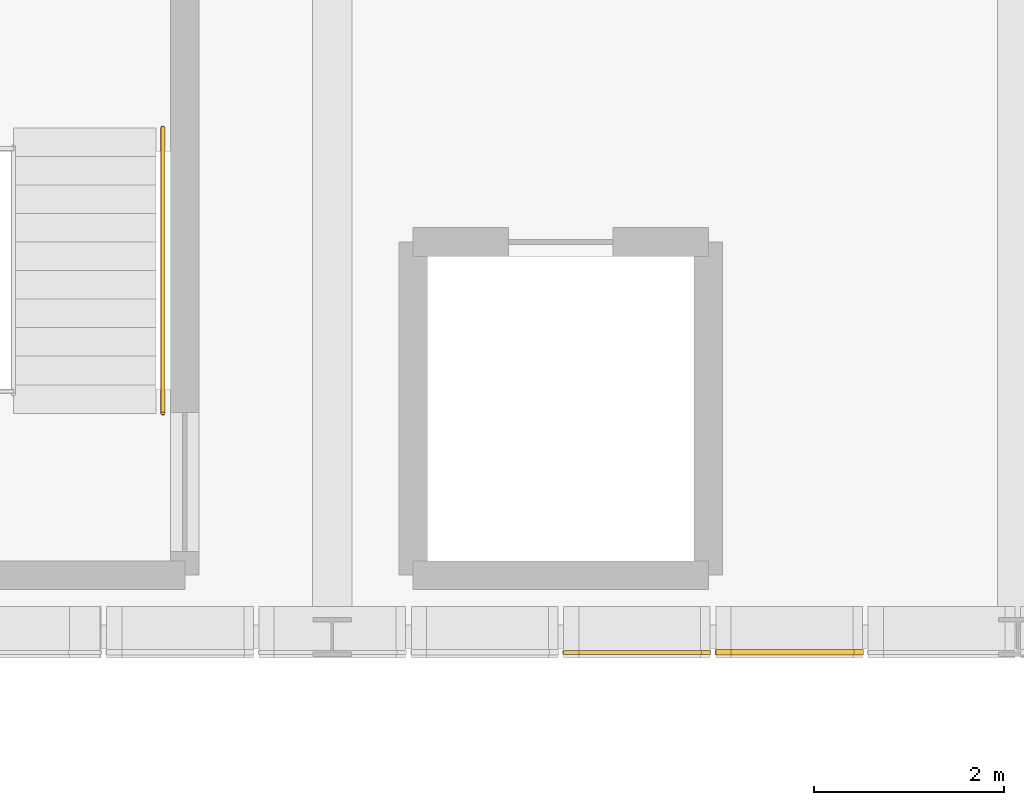
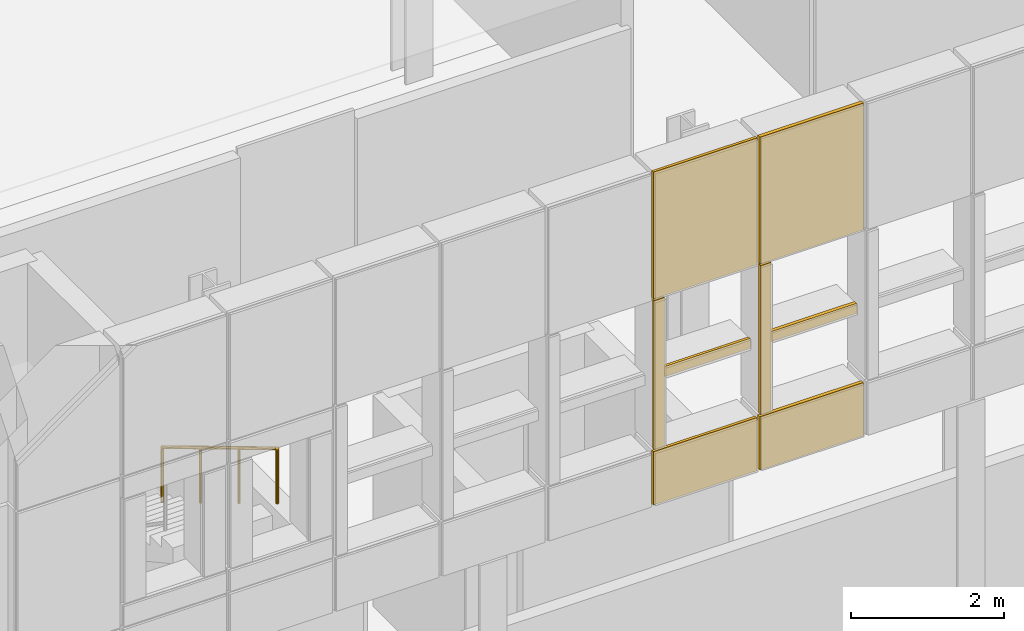
# One storey, part 79 of 96: 8 coverings, 1 railing.
"""IFC4 building model written with IfcOpenShell, lengths in metres."""

from ifc_helpers import new_model, si_unit, direction, frame, origin, origin_2d, place, context, subcontext, project, spatial, rectangle, circle, extrude, material, layer, layer_set, type_object, element, save


model = new_model("IFC4")

# Units and contexts
model_context = context("Model", 3, precision=1e-05, world=origin(), true_north=direction((0.0, 1.0)))
body_context = subcontext(model_context, "Body", "Model", "MODEL_VIEW")
ifc_project = project(units=[si_unit("LENGTHUNIT", "METRE"), si_unit("AREAUNIT", "SQUARE_METRE"), si_unit("VOLUMEUNIT", "CUBIC_METRE"), si_unit("PLANEANGLEUNIT", "RADIAN"), si_unit("MASSUNIT", "GRAM", prefix="KILO")], contexts=[model_context])

# Site, building, storey
site_placement = place(None, origin())
site = spatial("IfcSite", under=ifc_project, at=site_placement, CompositionType="ELEMENT")
building_placement = place(site_placement, origin())
building = spatial("IfcBuilding", under=site, at=building_placement, Name="Yarey Park Central Fire Station", CompositionType="ELEMENT")
storey_placement = place(building_placement, frame((0.0, 0.0, 14.39990234375)))
storey = spatial("IfcBuildingStorey", under=building, at=storey_placement, Name="L04", CompositionType="ELEMENT", Elevation=14.39990234375)

# Coverings
ifc_material_1 = material(Name="Perforated Powder-Coated Aluminium Cladding", Category="aluminium")
ifc_layer_1 = layer(ifc_material_1, 0.0419921875)
ifc_layer_set_1 = layer_set([ifc_layer_1], Name="Perforated Powder-Coated Aluminium Cladding")
covering_type_1 = type_object("IfcCoveringType", Name="ENV_COV_PERF_1", PredefinedType="CLADDING", material=ifc_layer_set_1)
covering_1_placement = place(storey_placement, frame((39.199951171875, 57.43994140625, 3.635009765625), z_axis=(0.0, 0.0, 1.0), x_axis=(1.0, 0.0, 0.0)))
element("IfcCovering", 1, at=covering_1_placement, inside=storey, type_object=covering_type_1, Name="PERF_L04_1149", PredefinedType="CLADDING", context=body_context, shape_type="SweptSolid", body=[
    extrude(rectangle(XDim=1.56005859375, YDim=0.0419921875, at=origin_2d()), origin(), (0.0, 0.0, 1.0), 0.85009765625),
])
covering_2_placement = place(storey_placement, frame((38.510009765625, 57.43994140625, 4.51513671875), z_axis=(0.0, 0.0, 1.0), x_axis=(1.0, 0.0, 0.0)))
element("IfcCovering", 2, at=covering_2_placement, inside=storey, type_object=covering_type_1, Name="PERF_L04_1150", PredefinedType="CLADDING", context=body_context, shape_type="SweptSolid", body=[
    extrude(rectangle(XDim=0.159912109375, YDim=0.0419921875, at=origin_2d()), origin(), (0.0, 0.0, 1.0), 2.3701171875),
])
covering_3_placement = place(storey_placement, frame((39.199951171875, 57.43994140625, 5.6201171875), z_axis=(0.0, 0.0, 1.0), x_axis=(1.0, 0.0, 0.0)))
element("IfcCovering", 3, at=covering_3_placement, inside=storey, type_object=covering_type_1, Name="PERF_L04_1151", PredefinedType="CLADDING", context=body_context, shape_type="SweptSolid", body=[
    extrude(rectangle(XDim=1.360107421875, YDim=0.0419921875, at=origin_2d()), origin(), (0.0, 0.0, 1.0), 0.159912109375),
])
covering_4_placement = place(storey_placement, frame((39.199951171875, 57.43994140625, 6.9150390625), z_axis=(0.0, 0.0, 1.0), x_axis=(1.0, 0.0, 0.0)))
element("IfcCovering", 4, at=covering_4_placement, inside=storey, type_object=covering_type_1, Name="PERF_L04_1152", PredefinedType="CLADDING", context=body_context, shape_type="SweptSolid", body=[
    extrude(rectangle(XDim=1.56005859375, YDim=0.0419921875, at=origin_2d()), origin(), (0.0, 0.0, 1.0), 2.02001953125),
])
ifc_layer_2 = layer(ifc_material_1, 0.053955078125)
ifc_layer_set_2 = layer_set([ifc_layer_2], Name="Perforated Powder-Coated Aluminium Cladding")
covering_type_2 = type_object("IfcCoveringType", Name="ENV_COV_PERF_2", PredefinedType="CLADDING", material=ifc_layer_set_2)
covering_5_placement = place(storey_placement, frame((40.800048828125, 57.43994140625, 3.635009765625), z_axis=(0.0, 0.0, 1.0), x_axis=(1.0, 0.0, 0.0)))
element("IfcCovering", 5, at=covering_5_placement, inside=storey, type_object=covering_type_2, Name="PERF_L04_1153", PredefinedType="CLADDING", context=body_context, shape_type="SweptSolid", body=[
    extrude(rectangle(XDim=1.56005859375, YDim=0.053955078125, at=origin_2d()), origin(), (0.0, 0.0, 1.0), 0.85009765625),
])
covering_6_placement = place(storey_placement, frame((40.110107421875, 57.43994140625, 4.51513671875), z_axis=(0.0, 0.0, 1.0), x_axis=(1.0, 0.0, 0.0)))
element("IfcCovering", 6, at=covering_6_placement, inside=storey, type_object=covering_type_2, Name="PERF_L04_1154", PredefinedType="CLADDING", context=body_context, shape_type="SweptSolid", body=[
    extrude(rectangle(XDim=0.159912109375, YDim=0.053955078125, at=origin_2d()), origin(), (0.0, 0.0, 1.0), 2.3701171875),
])
covering_7_placement = place(storey_placement, frame((40.800048828125, 57.43994140625, 5.6201171875), z_axis=(0.0, 0.0, 1.0), x_axis=(1.0, 0.0, 0.0)))
element("IfcCovering", 7, at=covering_7_placement, inside=storey, type_object=covering_type_2, Name="PERF_L04_1155", PredefinedType="CLADDING", context=body_context, shape_type="SweptSolid", body=[
    extrude(rectangle(XDim=1.360107421875, YDim=0.053955078125, at=origin_2d()), origin(), (0.0, 0.0, 1.0), 0.159912109375),
])
covering_8_placement = place(storey_placement, frame((40.800048828125, 57.43994140625, 6.9150390625), z_axis=(0.0, 0.0, 1.0), x_axis=(1.0, 0.0, 0.0)))
element("IfcCovering", 8, at=covering_8_placement, inside=storey, type_object=covering_type_2, Name="PERF_L04_1156", PredefinedType="CLADDING", context=body_context, shape_type="SweptSolid", body=[
    extrude(rectangle(XDim=1.56005859375, YDim=0.053955078125, at=origin_2d()), origin(), (0.0, 0.0, 1.0), 2.02001953125),
])

# Railing
ifc_material_2 = material(Name="Stainless Steel AISI 316L", Category="steel")
railing_type = type_object("IfcRailingType", Name="INT_RAIL_HAND090", PredefinedType="HANDRAIL", material=ifc_material_2)
railing_placement = place(storey_placement, frame((34.219970703125, 62.949951171875, 1.800048828125)))
element("IfcRailing", 9, at=railing_placement, inside=storey, type_object=railing_type, Name="HR_C3_L04_F2", PredefinedType="HANDRAIL", context=body_context, shape_type="SweptSolid", body=[
    extrude(circle(Radius=0.02392578125, at=origin_2d()), frame((0.0, 0.0, 0.8759765625), z_axis=(0.0, -0.857486768376, 0.514506017516), x_axis=(1.0, 0.0, 0.0)), (0.0, 0.0, 1.0), 3.49853515625),
    extrude(circle(Radius=0.02099609375, at=origin_2d()), origin(), (0.0, 0.0, 1.0), 0.851806640625),
    extrude(circle(Radius=0.02099609375, at=origin_2d()), frame((0.0, -1.0, 0.60009765625)), (0.0, 0.0, 1.0), 0.851806640625),
    extrude(circle(Radius=0.02099609375, at=origin_2d()), frame((0.0, -2.0, 1.199951171875)), (0.0, 0.0, 1.0), 0.851806640625),
    extrude(circle(Radius=0.02099609375, at=origin_2d()), frame((0.0, -3.0, 1.800048828125)), (0.0, 0.0, 1.0), 0.851806640625),
])

save(model, "model.ifc")
